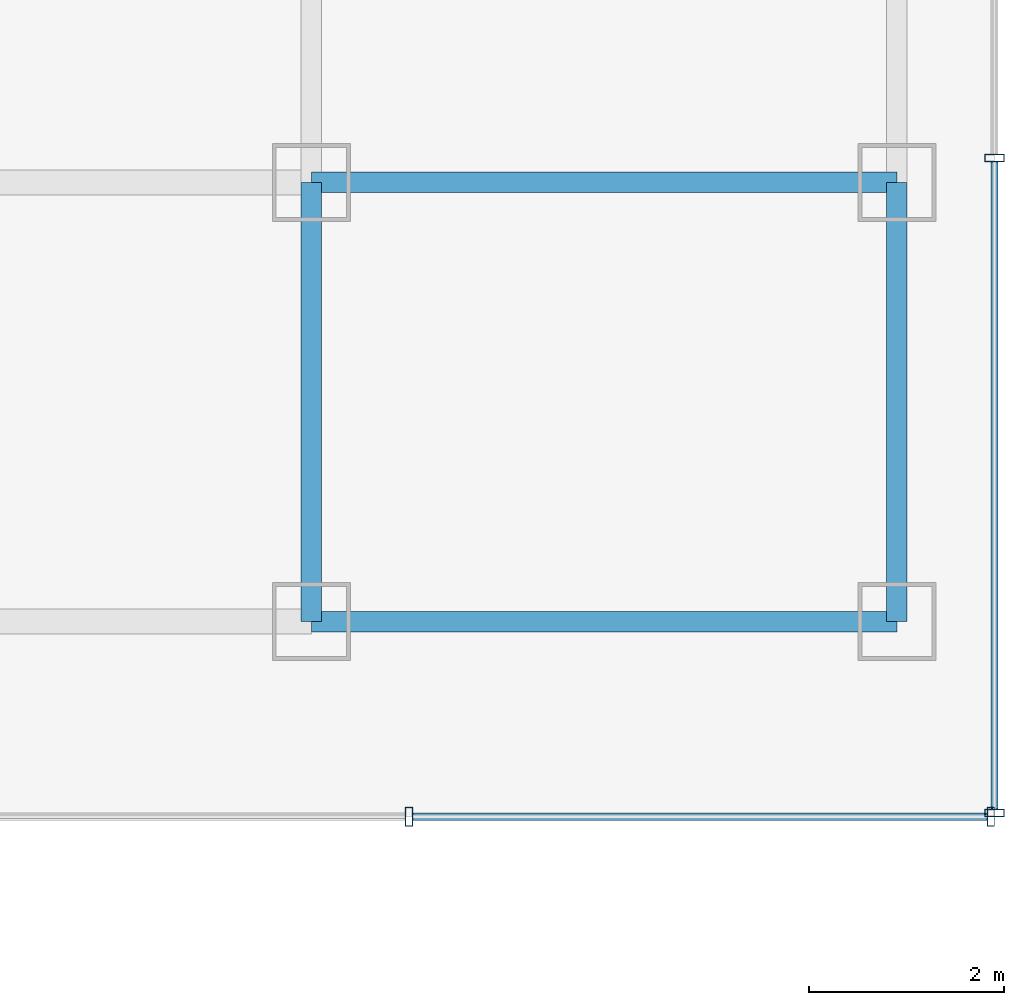
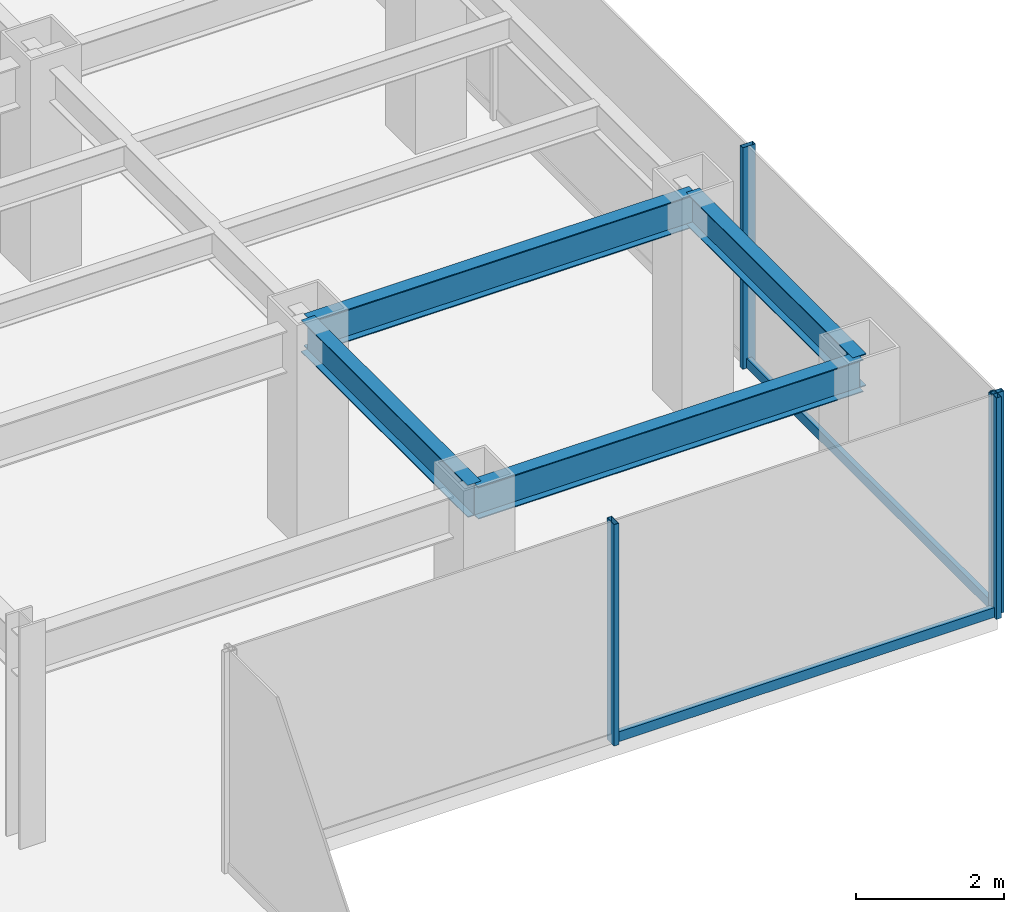
# One storey, part 10 of 26: 6 members, 4 beams, 2 elements without a shape of their own.
"""IFC4 building model written with IfcOpenShell, lengths in metres."""

from ifc_helpers import new_model, si_unit, derived_unit, direction, frame, origin, origin_2d, place, context, subcontext, project, spatial, hollow_rectangle, i_section, extrude, source, transform, mapped, material, material_profile, profile_set, type_object, element, aggregate, save


model = new_model("IFC4")

# Units and contexts
model_context = context("Model", 3, precision=1e-05, world=origin(), true_north=direction((0.0, 1.0)))
body_context = subcontext(model_context, "Body", "Model", "MODEL_VIEW")
ifc_project = project(units=[si_unit("LENGTHUNIT", "METRE"), si_unit("AREAUNIT", "SQUARE_METRE"), si_unit("VOLUMEUNIT", "CUBIC_METRE"), si_unit("PLANEANGLEUNIT", "RADIAN"), si_unit("MASSUNIT", "GRAM", prefix="KILO"), derived_unit("THERMALTRANSMITTANCEUNIT", [(si_unit("POWERUNIT", "WATT"), 1), (si_unit("LENGTHUNIT", "METRE"), -2), (si_unit("THERMODYNAMICTEMPERATUREUNIT", "KELVIN"), -1)])], contexts=[model_context])

# Site, building, storey
site_placement = place(None, origin())
site = spatial("IfcSite", under=ifc_project, at=site_placement, CompositionType="ELEMENT")
building_placement = place(site_placement, origin())
building = spatial("IfcBuilding", under=site, at=building_placement, Name="Skarnbrae Concourse Arena and Tower", CompositionType="ELEMENT")
storey_placement = place(building_placement, frame((0.0, 0.0, 117.85009765625)))
storey = spatial("IfcBuildingStorey", under=building, at=storey_placement, Name="L29", CompositionType="ELEMENT", Elevation=117.85009765625)

# Beams
ifc_material_1 = material(Name="Steel CSA G40.21 350W", Category="steel")
ifc_material_profile_1 = material_profile(ifc_material_1, i_section(OverallWidth=0.208984375, OverallDepth=0.532958984375, WebThickness=0.01025390625, FlangeThickness=0.015625, at=origin_2d()), Name="W530X92")
ifc_profile_set_1 = profile_set([ifc_material_profile_1], Name="Steel CSA G40.21 350W")
beam_type = type_object("IfcBeamType", Name="BM-SPAN-W530X92", PredefinedType="SPANDREL", material=ifc_profile_set_1)
shared_shape_1 = source(origin(), body_context, "Body", "SweptSolid", [
    extrude(i_section(OverallWidth=0.208984375, OverallDepth=0.532958984375, WebThickness=0.01025390625, FlangeThickness=0.015625, at=origin_2d()), origin(), (0.0, 0.0, 1.0), 6.0),
])
for number, where, z_axis, x_axis, name in (
    (1, (49.0, 9.5, 3.13330078125), (1.0, 0.0, 0.0), (0.0, 1.0, 0.0), "L29 Perimeter spandrel Y9.5-3"),
    (2, (49.0, 14.0, 3.13330078125), (1.0, 0.0, 0.0), (0.0, 1.0, 0.0), "L29 Perimeter spandrel Y14.0-8"),
):
    element("IfcBeam", number, at=place(storey_placement, frame(where, z_axis=z_axis, x_axis=x_axis)), inside=storey, type_object=beam_type, Name=name, PredefinedType="SPANDREL", context=body_context, shape_type="MappedRepresentation", body=[
        mapped(shared_shape_1, transform((0.0, 0.0, 0.0))),
    ])
shared_shape_2 = source(origin(), body_context, "Body", "SweptSolid", [
    extrude(i_section(OverallWidth=0.208984375, OverallDepth=0.532958984375, WebThickness=0.01025390625, FlangeThickness=0.015625, at=origin_2d()), origin(), (0.0, 0.0, 1.0), 4.5),
])
for number, where, z_axis, x_axis, name in (
    (3, (49.0, 9.5, 3.13330078125), (0.0, 1.0, 0.0), (-1.0, 0.0, 0.0), "L29 Perimeter spandrel X49.0-1"),
    (4, (55.0, 9.5, 3.13330078125), (0.0, 1.0, 0.0), (-1.0, 0.0, 0.0), "L29 Perimeter spandrel X55.0-1"),
):
    element("IfcBeam", number, at=place(storey_placement, frame(where, z_axis=z_axis, x_axis=x_axis)), inside=storey, type_object=beam_type, Name=name, PredefinedType="SPANDREL", context=body_context, shape_type="MappedRepresentation", body=[
        mapped(shared_shape_2, transform((0.0, 0.0, 0.0))),
    ])

# Curtain wall, members
ifc_material_2 = material(Name="Bronze anodised aluminium 6063-T6", Category="aluminium")
curtain_wall_type = type_object("IfcCurtainWallType", Name="CW-SYS-04-MIDZONE", PredefinedType="USERDEFINED", material=ifc_material_2)
curtain_wall_1_placement = place(storey_placement, origin())
curtain_wall_1 = element("IfcCurtainWall", 5, at=curtain_wall_1_placement, inside=storey, type_object=curtain_wall_type, Name="L29 Unitised curtain wall CW-L29-E03", ObjectType="UNITISED CURTAIN WALL", PredefinedType="USERDEFINED")
ifc_material_profile_2 = material_profile(ifc_material_2, hollow_rectangle(XDim=0.074951171875, YDim=0.159912109375, WallThickness=0.00439453125, at=origin_2d()), Name="ALU-TRAN-75X160")
ifc_profile_set_2 = profile_set([ifc_material_profile_2], Name="Bronze anodised aluminium 6063-T6")
member_type_1 = type_object("IfcMemberType", Name="CWT-CW-04", PredefinedType="USERDEFINED", material=ifc_profile_set_2)
shared_shape_3 = source(origin(), body_context, "Body", "SweptSolid", [
    extrude(hollow_rectangle(XDim=0.074951171875, YDim=0.159912109375, WallThickness=0.00439453125, at=origin_2d()), origin(), (0.0, 0.0, 1.0), 5.887451171875),
])
member_1_placement = place(storey_placement, frame((50.03759765625, 7.5, 0.079833984375), z_axis=(1.0, 0.0, 0.0), x_axis=(0.0, 1.0, 0.0)))
member_1 = element("IfcMember", 6, at=member_1_placement, type_object=member_type_1, Name="CW-L29-E03 Transom 2", ObjectType="TRANSOM", PredefinedType="USERDEFINED", context=body_context, shape_type="MappedRepresentation", body=[
    mapped(shared_shape_3, transform((0.0, 0.0, 0.0))),
])
ifc_material_profile_3 = material_profile(ifc_material_2, hollow_rectangle(XDim=0.074951171875, YDim=0.195068359375, WallThickness=0.00439453125, at=origin_2d()), Name="ALU-MULL-75X195")
ifc_profile_set_3 = profile_set([ifc_material_profile_3], Name="Bronze anodised aluminium 6063-T6")
member_type_2 = type_object("IfcMemberType", Name="CWM-CW-04", PredefinedType="MULLION", material=ifc_profile_set_3)
shared_shape_4 = source(origin(), body_context, "Body", "SweptSolid", [
    extrude(hollow_rectangle(XDim=0.074951171875, YDim=0.195068359375, WallThickness=0.00439453125, at=origin_2d()), origin(), (0.0, 0.0, 1.0), 3.64990234375),
])
member_2_placement = place(storey_placement, frame((50.0, 7.5, 0.0), z_axis=(0.0, 0.0, 1.0), x_axis=(1.0, 0.0, 0.0)))
member_2 = element("IfcMember", 7, at=member_2_placement, type_object=member_type_2, Name="CW-L29-E03 Mullion 2", PredefinedType="MULLION", context=body_context, shape_type="MappedRepresentation", body=[
    mapped(shared_shape_4, transform((0.0, 0.0, 0.0))),
])
member_3_placement = place(storey_placement, frame((55.96240234375, 7.5, 0.0), z_axis=(0.0, 0.0, 1.0), x_axis=(1.0, 0.0, 0.0)))
member_3 = element("IfcMember", 8, at=member_3_placement, type_object=member_type_2, Name="CW-L29-E03 Mullion 3", PredefinedType="MULLION", context=body_context, shape_type="MappedRepresentation", body=[
    mapped(shared_shape_4, transform((0.0, 0.0, 0.0))),
])
aggregate(curtain_wall_1, [member_2, member_3, member_1])

curtain_wall_2_placement = place(storey_placement, origin())
curtain_wall_2 = element("IfcCurtainWall", 9, at=curtain_wall_2_placement, inside=storey, type_object=curtain_wall_type, Name="L29 Unitised curtain wall CW-L29-E04", ObjectType="UNITISED CURTAIN WALL", PredefinedType="USERDEFINED")
member_4_placement = place(storey_placement, frame((56.0, 7.53759765625, 0.0), z_axis=(0.0, 0.0, 1.0), x_axis=(0.0, 1.0, 0.0)))
member_4 = element("IfcMember", 10, at=member_4_placement, type_object=member_type_2, Name="CW-L29-E04 Mullion 1", PredefinedType="MULLION", context=body_context, shape_type="MappedRepresentation", body=[
    mapped(shared_shape_4, transform((0.0, 0.0, 0.0))),
])
member_5_placement = place(storey_placement, frame((56.0, 14.25, 0.0), z_axis=(0.0, 0.0, 1.0), x_axis=(0.0, 1.0, 0.0)))
member_5 = element("IfcMember", 11, at=member_5_placement, type_object=member_type_2, Name="CW-L29-E04 Mullion 2", PredefinedType="MULLION", context=body_context, shape_type="MappedRepresentation", body=[
    mapped(shared_shape_4, transform((0.0, 0.0, 0.0))),
])
shared_shape_5 = source(origin(), body_context, "Body", "SweptSolid", [
    extrude(hollow_rectangle(XDim=0.074951171875, YDim=0.159912109375, WallThickness=0.00439453125, at=origin_2d()), origin(), (0.0, 0.0, 1.0), 6.637451171875),
])
member_6_placement = place(storey_placement, frame((56.0, 7.574951171875, 0.079833984375), z_axis=(0.0, 1.0, 0.0), x_axis=(-1.0, 0.0, 0.0)))
member_6 = element("IfcMember", 12, at=member_6_placement, type_object=member_type_1, Name="CW-L29-E04 Transom 1", ObjectType="TRANSOM", PredefinedType="USERDEFINED", context=body_context, shape_type="MappedRepresentation", body=[
    mapped(shared_shape_5, transform((0.0, 0.0, 0.0))),
])
aggregate(curtain_wall_2, [member_4, member_5, member_6])

save(model, "model.ifc")
